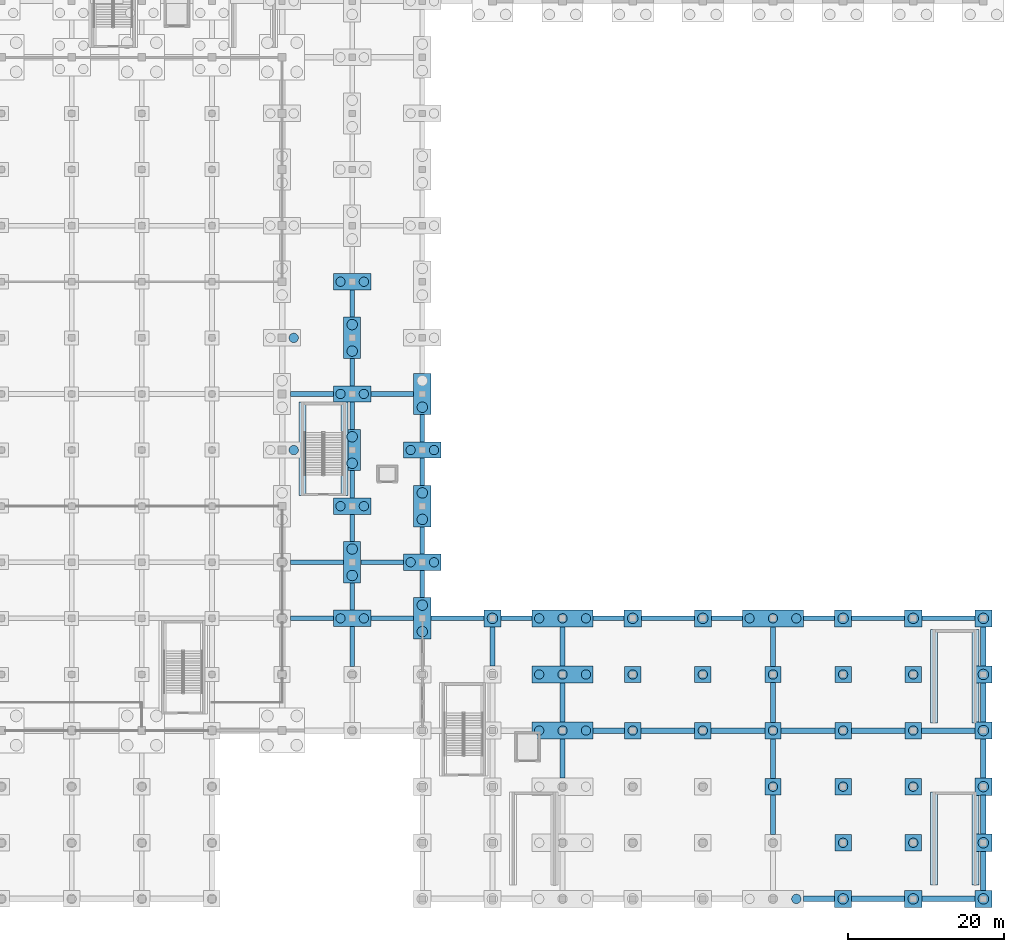
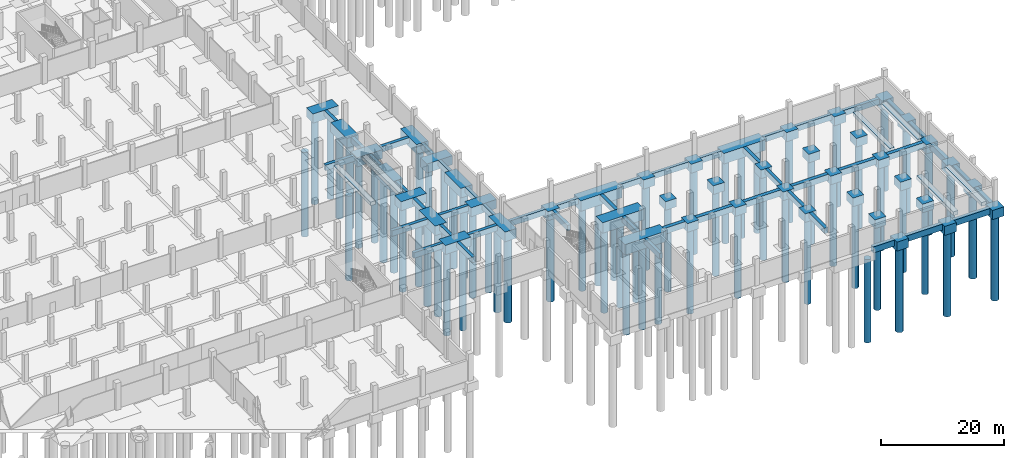
# One storey, part 7 of 39: 97 footings, 66 piles.
"""IFC4 building model written with IfcOpenShell, lengths in metres."""

from ifc_helpers import new_model, si_unit, direction, frame, origin, origin_2d, place, context, subcontext, project, spatial, rectangle, circle, extrude, material, material_profile, profile_set, type_object, element, save


model = new_model("IFC4")

# Units and contexts
model_context = context("Model", 3, precision=1e-05, world=origin(), true_north=direction((0.0, 1.0)))
body_context = subcontext(model_context, "Body", "Model", "MODEL_VIEW")
ifc_project = project(units=[si_unit("LENGTHUNIT", "METRE"), si_unit("AREAUNIT", "SQUARE_METRE"), si_unit("VOLUMEUNIT", "CUBIC_METRE"), si_unit("PLANEANGLEUNIT", "RADIAN"), si_unit("MASSUNIT", "GRAM", prefix="KILO")], contexts=[model_context])

# Site, building, storey
site_placement = place(None, origin())
site = spatial("IfcSite", under=ifc_project, at=site_placement, CompositionType="ELEMENT")
building_placement = place(site_placement, origin())
building = spatial("IfcBuilding", under=site, at=building_placement, Name="Celestram Park Convention Centre", CompositionType="ELEMENT")
storey_placement = place(building_placement, frame((0.0, 0.0, -5.39990234375)))
storey = spatial("IfcBuildingStorey", under=building, at=storey_placement, Name="B1", CompositionType="ELEMENT", Elevation=-5.39990234375)

# Footings
ifc_material_1 = material(Name="Concrete C40/50", Category="concrete")
footing_type_1 = type_object("IfcFootingType", Name="STR-CAP-PC2", PredefinedType="PILE_CAP", material=ifc_material_1)
for number, where, z_axis, x_axis, name in (
    (1, (171.0, 21.60009765625, -1.7001953125), (0.0, 0.0, 1.0), (1.0, 0.0, 0.0), "Caisson cap PC-02 at (171.0, 21.6)"),
    (2, (171.0, 28.800048828125, -1.7001953125), (0.0, 0.0, 1.0), (1.0, 0.0, 0.0), "Caisson cap PC-02 at (171.0, 28.8)"),
    (3, (180.0, 21.60009765625, -1.7001953125), (0.0, 0.0, 1.0), (1.0, 0.0, 0.0), "Caisson cap PC-02 at (180.0, 21.6)"),
    (4, (180.0, 28.800048828125, -1.7001953125), (0.0, 0.0, 1.0), (1.0, 0.0, 0.0), "Caisson cap PC-02 at (180.0, 28.8)"),
    (5, (189.0, 14.39990234375, -1.7001953125), (0.0, 0.0, 1.0), (1.0, 0.0, 0.0), "Caisson cap PC-02 at (189.0, 14.4)"),
    (6, (189.0, 21.60009765625, -1.7001953125), (0.0, 0.0, 1.0), (1.0, 0.0, 0.0), "Caisson cap PC-02 at (189.0, 21.6)"),
    (7, (189.0, 28.800048828125, -1.7001953125), (0.0, 0.0, 1.0), (1.0, 0.0, 0.0), "Caisson cap PC-02 at (189.0, 28.8)"),
    (8, (198.0, 7.199951171875, -1.7001953125), (0.0, 0.0, 1.0), (1.0, 0.0, 0.0), "Caisson cap PC-02 at (198.0, 7.2)"),
    (9, (198.0, 14.39990234375, -1.7001953125), (0.0, 0.0, 1.0), (1.0, 0.0, 0.0), "Caisson cap PC-02 at (198.0, 14.4)"),
    (10, (198.0, 21.60009765625, -1.7001953125), (0.0, 0.0, 1.0), (1.0, 0.0, 0.0), "Caisson cap PC-02 at (198.0, 21.6)"),
    (11, (198.0, 28.800048828125, -1.7001953125), (0.0, 0.0, 1.0), (1.0, 0.0, 0.0), "Caisson cap PC-02 at (198.0, 28.8)"),
    (12, (207.0, 7.199951171875, -1.7001953125), (0.0, 0.0, 1.0), (1.0, 0.0, 0.0), "Caisson cap PC-02 at (207.0, 7.2)"),
    (13, (207.0, 14.39990234375, -1.7001953125), (0.0, 0.0, 1.0), (1.0, 0.0, 0.0), "Caisson cap PC-02 at (207.0, 14.4)"),
    (14, (207.0, 21.60009765625, -1.7001953125), (0.0, 0.0, 1.0), (1.0, 0.0, 0.0), "Caisson cap PC-02 at (207.0, 21.6)"),
    (15, (207.0, 28.800048828125, -1.7001953125), (0.0, 0.0, 1.0), (1.0, 0.0, 0.0), "Caisson cap PC-02 at (207.0, 28.8)"),
):
    element("IfcFooting", number, at=place(storey_placement, frame(where, z_axis=z_axis, x_axis=x_axis)), inside=storey, type_object=footing_type_1, Name=name, PredefinedType="PILE_CAP", context=body_context, shape_type="SweptSolid", body=[
        extrude(rectangle(XDim=2.10009765625, YDim=2.10009765625, at=origin_2d()), origin(), (0.0, 0.0, 1.0), 1.699951171875),
    ])
footing_type_2 = type_object("IfcFootingType", Name="STR-CAP-PC3", PredefinedType="PILE_CAP", material=ifc_material_1)
for number, where, z_axis, x_axis, name in (
    (16, (153.0, 36.0, -1.80029296875), (0.0, 0.0, 1.0), (1.0, 0.0, 0.0), "Caisson cap PC-03 at (153.0, 36.0)"),
    (17, (171.0, 36.0, -1.80029296875), (0.0, 0.0, 1.0), (1.0, 0.0, 0.0), "Caisson cap PC-03 at (171.0, 36.0)"),
    (18, (180.0, 36.0, -1.80029296875), (0.0, 0.0, 1.0), (1.0, 0.0, 0.0), "Caisson cap PC-03 at (180.0, 36.0)"),
    (19, (198.0, 0.0, -1.80029296875), (0.0, 0.0, 1.0), (1.0, 0.0, 0.0), "Caisson cap PC-03 at (198.0, 0.0)"),
    (20, (198.0, 36.0, -1.80029296875), (0.0, 0.0, 1.0), (1.0, 0.0, 0.0), "Caisson cap PC-03 at (198.0, 36.0)"),
    (21, (207.0, 0.0, -1.80029296875), (0.0, 0.0, 1.0), (1.0, 0.0, 0.0), "Caisson cap PC-03 at (207.0, 0.0)"),
    (22, (207.0, 36.0, -1.80029296875), (0.0, 0.0, 1.0), (1.0, 0.0, 0.0), "Caisson cap PC-03 at (207.0, 36.0)"),
    (23, (216.0, 0.0, -1.80029296875), (0.0, 0.0, 1.0), (1.0, 0.0, 0.0), "Caisson cap PC-03 at (216.0, 0.0)"),
    (24, (216.0, 7.199951171875, -1.80029296875), (0.0, 0.0, 1.0), (1.0, 0.0, 0.0), "Caisson cap PC-03 at (216.0, 7.2)"),
    (25, (216.0, 14.39990234375, -1.80029296875), (0.0, 0.0, 1.0), (1.0, 0.0, 0.0), "Caisson cap PC-03 at (216.0, 14.4)"),
    (26, (216.0, 21.60009765625, -1.80029296875), (0.0, 0.0, 1.0), (1.0, 0.0, 0.0), "Caisson cap PC-03 at (216.0, 21.6)"),
    (27, (216.0, 28.800048828125, -1.80029296875), (0.0, 0.0, 1.0), (1.0, 0.0, 0.0), "Caisson cap PC-03 at (216.0, 28.8)"),
    (28, (216.0, 36.0, -1.80029296875), (0.0, 0.0, 1.0), (1.0, 0.0, 0.0), "Caisson cap PC-03 at (216.0, 36.0)"),
):
    element("IfcFooting", number, at=place(storey_placement, frame(where, z_axis=z_axis, x_axis=x_axis)), inside=storey, type_object=footing_type_2, Name=name, PredefinedType="PILE_CAP", context=body_context, shape_type="SweptSolid", body=[
        extrude(rectangle(XDim=2.199951171875, YDim=2.199951171875, at=origin_2d()), origin(), (0.0, 0.0, 1.0), 1.800048828125),
    ])
footing_type_3 = type_object("IfcFootingType", Name="STR-CAP-PC4", PredefinedType="PILE_CAP", material=ifc_material_1)
for number, where, z_axis, x_axis, name in (
    (29, (135.0, 36.0, -1.80029296875), (0.0, 0.0, 1.0), (1.0, 0.0, 0.0), "Caisson cap PC-04 at (135.0, 36.0)"),
    (30, (135.0, 50.39990234375, -1.80029296875), (0.0, 0.0, 1.0), (1.0, 0.0, 0.0), "Caisson cap PC-04 at (135.0, 50.4)"),
    (31, (135.0, 64.800048828125, -1.80029296875), (0.0, 0.0, 1.0), (1.0, 0.0, 0.0), "Caisson cap PC-04 at (135.0, 64.8)"),
    (32, (135.0, 79.199951171875, -1.80029296875), (0.0, 0.0, 1.0), (1.0, 0.0, 0.0), "Caisson cap PC-04 at (135.0, 79.2)"),
    (33, (144.0, 43.199951171875, -1.80029296875), (0.0, 0.0, 1.0), (1.0, 0.0, 0.0), "Caisson cap PC-04 at (144.0, 43.2)"),
    (34, (144.0, 57.60009765625, -1.80029296875), (0.0, 0.0, 1.0), (1.0, 0.0, 0.0), "Caisson cap PC-04 at (144.0, 57.6)"),
):
    element("IfcFooting", number, at=place(storey_placement, frame(where, z_axis=z_axis, x_axis=x_axis)), inside=storey, type_object=footing_type_3, Name=name, PredefinedType="PILE_CAP", context=body_context, shape_type="SweptSolid", body=[
        extrude(rectangle(XDim=4.800048828125, YDim=2.10009765625, at=origin_2d()), origin(), (0.0, 0.0, 1.0), 1.800048828125),
    ])
footing_type_4 = type_object("IfcFootingType", Name="STR-CAP-PC5", PredefinedType="PILE_CAP", material=ifc_material_1)
for number, where, z_axis, x_axis, name in (
    (35, (135.0, 43.199951171875, -1.900146484375), (0.0, 0.0, 1.0), (1.0, 0.0, 0.0), "Caisson cap PC-05 at (135.0, 43.2)"),
    (36, (135.0, 57.60009765625, -1.900146484375), (0.0, 0.0, 1.0), (1.0, 0.0, 0.0), "Caisson cap PC-05 at (135.0, 57.6)"),
    (37, (135.0, 72.0, -1.900146484375), (0.0, 0.0, 1.0), (1.0, 0.0, 0.0), "Caisson cap PC-05 at (135.0, 72.0)"),
    (38, (144.0, 36.0, -1.900146484375), (0.0, 0.0, 1.0), (1.0, 0.0, 0.0), "Caisson cap PC-05 at (144.0, 36.0)"),
    (39, (144.0, 50.39990234375, -1.900146484375), (0.0, 0.0, 1.0), (1.0, 0.0, 0.0), "Caisson cap PC-05 at (144.0, 50.4)"),
    (40, (144.0, 64.800048828125, -1.900146484375), (0.0, 0.0, 1.0), (1.0, 0.0, 0.0), "Caisson cap PC-05 at (144.0, 64.8)"),
):
    element("IfcFooting", number, at=place(storey_placement, frame(where, z_axis=z_axis, x_axis=x_axis)), inside=storey, type_object=footing_type_4, Name=name, PredefinedType="PILE_CAP", context=body_context, shape_type="SweptSolid", body=[
        extrude(rectangle(XDim=2.199951171875, YDim=5.300048828125, at=origin_2d()), origin(), (0.0, 0.0, 1.0), 1.89990234375),
    ])
footing_type_5 = type_object("IfcFootingType", Name="STR-CAP-PC9", PredefinedType="PILE_CAP", material=ifc_material_1)
for number, where, z_axis, x_axis, name in (
    (41, (162.0, 21.60009765625, -2.10009765625), (0.0, 0.0, 1.0), (1.0, 0.0, 0.0), "Caisson cap PC-09 at (162.0, 21.6)"),
    (42, (162.0, 28.800048828125, -2.10009765625), (0.0, 0.0, 1.0), (1.0, 0.0, 0.0), "Caisson cap PC-09 at (162.0, 28.8)"),
    (43, (162.0, 36.0, -2.10009765625), (0.0, 0.0, 1.0), (1.0, 0.0, 0.0), "Caisson cap PC-09 at (162.0, 36.0)"),
    (44, (189.0, 36.0, -2.10009765625), (0.0, 0.0, 1.0), (1.0, 0.0, 0.0), "Caisson cap PC-09 at (189.0, 36.0)"),
):
    element("IfcFooting", number, at=place(storey_placement, frame(where, z_axis=z_axis, x_axis=x_axis)), inside=storey, type_object=footing_type_5, Name=name, PredefinedType="PILE_CAP", context=body_context, shape_type="SweptSolid", body=[
        extrude(rectangle(XDim=7.800048828125, YDim=2.199951171875, at=origin_2d()), origin(), (0.0, 0.0, 1.0), 2.10009765625),
    ])
ifc_material_2 = material(Name="Concrete C35/45", Category="concrete")
footing_type_6 = type_object("IfcFootingType", Name="STR-FTG-GB09", PredefinedType="FOOTING_BEAM", material=ifc_material_2)
for number, where, z_axis, x_axis, name in (
    (45, (135.0, 32.39990234375, -1.10009765625), (0.0, 0.0, 1.0), (0.0, 1.0, 0.0), "Grade tie beam GB-B1-380"),
    (46, (189.0, 10.800048828125, -1.10009765625), (0.0, 0.0, 1.0), (0.0, 1.0, 0.0), "Grade tie beam GB-B1-504"),
    (47, (189.0, 18.0, -1.10009765625), (0.0, 0.0, 1.0), (0.0, 1.0, 0.0), "Grade tie beam GB-B1-505"),
    (48, (189.0, 25.199951171875, -1.10009765625), (0.0, 0.0, 1.0), (0.0, 1.0, 0.0), "Grade tie beam GB-B1-507"),
):
    element("IfcFooting", number, at=place(storey_placement, frame(where, z_axis=z_axis, x_axis=x_axis)), inside=storey, type_object=footing_type_6, Name=name, PredefinedType="FOOTING_BEAM", context=body_context, shape_type="SweptSolid", body=[
        extrude(rectangle(XDim=5.10009765625, YDim=0.60009765625, at=origin_2d()), origin(), (0.0, 0.0, 1.0), 1.10009765625),
    ])
footing_type_7 = type_object("IfcFootingType", Name="STR-FTG-GB12", PredefinedType="FOOTING_BEAM", material=ifc_material_2)
for number, where, z_axis, x_axis, name in (
    (49, (175.5, 21.60009765625, -1.2001953125), (0.0, 0.0, 1.0), (1.0, 0.0, 0.0), "Grade tie beam GB-B1-485"),
    (50, (184.5, 21.60009765625, -1.2001953125), (0.0, 0.0, 1.0), (1.0, 0.0, 0.0), "Grade tie beam GB-B1-494"),
    (51, (193.5, 21.60009765625, -1.2001953125), (0.0, 0.0, 1.0), (1.0, 0.0, 0.0), "Grade tie beam GB-B1-506"),
    (52, (202.5, 21.60009765625, -1.2001953125), (0.0, 0.0, 1.0), (1.0, 0.0, 0.0), "Grade tie beam GB-B1-524"),
):
    element("IfcFooting", number, at=place(storey_placement, frame(where, z_axis=z_axis, x_axis=x_axis)), inside=storey, type_object=footing_type_7, Name=name, PredefinedType="FOOTING_BEAM", context=body_context, shape_type="SweptSolid", body=[
        extrude(rectangle(XDim=6.89990234375, YDim=0.699951171875, at=origin_2d()), origin(), (0.0, 0.0, 1.0), 1.199951171875),
    ])
footing_type_8 = type_object("IfcFootingType", Name="STR-FTG-GB23", PredefinedType="FOOTING_BEAM", material=ifc_material_2)
for number, where, z_axis, x_axis, name in (
    (53, (135.0, 38.800048828125, -1.10009765625), (0.0, 0.0, 1.0), (0.0, 1.0, 0.0), "Grade tie beam GB-B1-382"),
    (54, (135.0, 47.60009765625, -1.10009765625), (0.0, 0.0, 1.0), (0.0, 1.0, 0.0), "Grade tie beam GB-B1-384"),
    (55, (135.0, 53.199951171875, -1.10009765625), (0.0, 0.0, 1.0), (0.0, 1.0, 0.0), "Grade tie beam GB-B1-385"),
    (56, (135.0, 62.0, -1.10009765625), (0.0, 0.0, 1.0), (0.0, 1.0, 0.0), "Grade tie beam GB-B1-386"),
    (57, (135.0, 67.60009765625, -1.10009765625), (0.0, 0.0, 1.0), (0.0, 1.0, 0.0), "Grade tie beam GB-B1-388"),
    (58, (135.0, 76.39990234375, -1.10009765625), (0.0, 0.0, 1.0), (0.0, 1.0, 0.0), "Grade tie beam GB-B1-389"),
    (59, (144.0, 40.39990234375, -1.10009765625), (0.0, 0.0, 1.0), (0.0, 1.0, 0.0), "Grade tie beam GB-B1-418"),
    (60, (144.0, 46.0, -1.10009765625), (0.0, 0.0, 1.0), (0.0, 1.0, 0.0), "Grade tie beam GB-B1-419"),
    (61, (144.0, 54.800048828125, -1.10009765625), (0.0, 0.0, 1.0), (0.0, 1.0, 0.0), "Grade tie beam GB-B1-420"),
    (62, (144.0, 60.39990234375, -1.10009765625), (0.0, 0.0, 1.0), (0.0, 1.0, 0.0), "Grade tie beam GB-B1-421"),
):
    element("IfcFooting", number, at=place(storey_placement, frame(where, z_axis=z_axis, x_axis=x_axis)), inside=storey, type_object=footing_type_8, Name=name, PredefinedType="FOOTING_BEAM", context=body_context, shape_type="SweptSolid", body=[
        extrude(rectangle(XDim=3.5, YDim=0.60009765625, at=origin_2d()), origin(), (0.0, 0.0, 1.0), 1.10009765625),
    ])
footing_type_9 = type_object("IfcFootingType", Name="STR-FTG-GB33", PredefinedType="FOOTING_BEAM", material=ifc_material_2)
for number, where, z_axis, x_axis, name in (
    (63, (129.85009765625, 36.0, -1.10009765625), (0.0, 0.0, 1.0), (1.0, 0.0, 0.0), "Grade tie beam GB-B1-349"),
    (64, (129.85009765625, 64.800048828125, -1.10009765625), (0.0, 0.0, 1.0), (1.0, 0.0, 0.0), "Grade tie beam GB-B1-355"),
    (65, (140.14990234375, 36.0, -1.10009765625), (0.0, 0.0, 1.0), (1.0, 0.0, 0.0), "Grade tie beam GB-B1-381"),
    (66, (138.85009765625, 43.199951171875, -1.10009765625), (0.0, 0.0, 1.0), (1.0, 0.0, 0.0), "Grade tie beam GB-B1-383"),
    (67, (140.14990234375, 64.800048828125, -1.10009765625), (0.0, 0.0, 1.0), (1.0, 0.0, 0.0), "Grade tie beam GB-B1-387"),
):
    element("IfcFooting", number, at=place(storey_placement, frame(where, z_axis=z_axis, x_axis=x_axis)), inside=storey, type_object=footing_type_9, Name=name, PredefinedType="FOOTING_BEAM", context=body_context, shape_type="SweptSolid", body=[
        extrude(rectangle(XDim=5.5, YDim=0.60009765625, at=origin_2d()), origin(), (0.0, 0.0, 1.0), 1.10009765625),
    ])
footing_type_10 = type_object("IfcFootingType", Name="STR-FTG-GB37", PredefinedType="FOOTING_BEAM", material=ifc_material_2)
for number, where, z_axis, x_axis, name in (
    (68, (216.0, 3.60009765625, -1.2001953125), (0.0, 0.0, 1.0), (0.0, 1.0, 0.0), "Grade tie beam GB-B1-541"),
    (69, (216.0, 10.800048828125, -1.2001953125), (0.0, 0.0, 1.0), (0.0, 1.0, 0.0), "Grade tie beam GB-B1-542"),
    (70, (216.0, 18.0, -1.2001953125), (0.0, 0.0, 1.0), (0.0, 1.0, 0.0), "Grade tie beam GB-B1-543"),
    (71, (216.0, 25.199951171875, -1.2001953125), (0.0, 0.0, 1.0), (0.0, 1.0, 0.0), "Grade tie beam GB-B1-544"),
    (72, (216.0, 32.39990234375, -1.2001953125), (0.0, 0.0, 1.0), (0.0, 1.0, 0.0), "Grade tie beam GB-B1-545"),
):
    element("IfcFooting", number, at=place(storey_placement, frame(where, z_axis=z_axis, x_axis=x_axis)), inside=storey, type_object=footing_type_10, Name=name, PredefinedType="FOOTING_BEAM", context=body_context, shape_type="SweptSolid", body=[
        extrude(rectangle(XDim=5.0, YDim=0.699951171875, at=origin_2d()), origin(), (0.0, 0.0, 1.0), 1.199951171875),
    ])
footing_type_11 = type_object("IfcFootingType", Name="STR-FTG-GB38", PredefinedType="FOOTING_BEAM", material=ifc_material_2)
for number, where, z_axis, x_axis, name in (
    (73, (130.5, 43.199951171875, -1.10009765625), (0.0, 0.0, 1.0), (1.0, 0.0, 0.0), "Grade tie beam GB-B1-351"),
    (74, (148.5, 36.0, -1.10009765625), (0.0, 0.0, 1.0), (1.0, 0.0, 0.0), "Grade tie beam GB-B1-417"),
    (75, (175.5, 36.0, -1.10009765625), (0.0, 0.0, 1.0), (1.0, 0.0, 0.0), "Grade tie beam GB-B1-486"),
    (76, (202.5, 36.0, -1.10009765625), (0.0, 0.0, 1.0), (1.0, 0.0, 0.0), "Grade tie beam GB-B1-525"),
    (77, (211.5, 36.0, -1.10009765625), (0.0, 0.0, 1.0), (1.0, 0.0, 0.0), "Grade tie beam GB-B1-534"),
):
    element("IfcFooting", number, at=place(storey_placement, frame(where, z_axis=z_axis, x_axis=x_axis)), inside=storey, type_object=footing_type_11, Name=name, PredefinedType="FOOTING_BEAM", context=body_context, shape_type="SweptSolid", body=[
        extrude(rectangle(XDim=6.800048828125, YDim=0.60009765625, at=origin_2d()), origin(), (0.0, 0.0, 1.0), 1.10009765625),
    ])
footing_type_12 = type_object("IfcFootingType", Name="STR-FTG-GB40", PredefinedType="FOOTING_BEAM", material=ifc_material_2)
footing_1_placement = place(storey_placement, frame((211.47509765625, 21.60009765625, -1.2001953125), z_axis=(0.0, 0.0, 1.0), x_axis=(1.0, 0.0, 0.0)))
element("IfcFooting", 78, at=footing_1_placement, inside=storey, type_object=footing_type_12, Name="Grade tie beam GB-B1-533", PredefinedType="FOOTING_BEAM", context=body_context, shape_type="SweptSolid", body=[
    extrude(rectangle(XDim=6.85009765625, YDim=0.699951171875, at=origin_2d()), origin(), (0.0, 0.0, 1.0), 1.199951171875),
])
footing_type_13 = type_object("IfcFootingType", Name="STR-FTG-GB41", PredefinedType="FOOTING_BEAM", material=ifc_material_2)
for number, where, z_axis, x_axis, name in (
    (79, (202.5, 0.0, -1.2001953125), (0.0, 0.0, 1.0), (1.0, 0.0, 0.0), "Grade tie beam GB-B1-523"),
    (80, (211.5, 0.0, -1.2001953125), (0.0, 0.0, 1.0), (1.0, 0.0, 0.0), "Grade tie beam GB-B1-532"),
):
    element("IfcFooting", number, at=place(storey_placement, frame(where, z_axis=z_axis, x_axis=x_axis)), inside=storey, type_object=footing_type_13, Name=name, PredefinedType="FOOTING_BEAM", context=body_context, shape_type="SweptSolid", body=[
        extrude(rectangle(XDim=6.800048828125, YDim=0.699951171875, at=origin_2d()), origin(), (0.0, 0.0, 1.0), 1.199951171875),
    ])
footing_type_14 = type_object("IfcFootingType", Name="STR-FTG-GB42", PredefinedType="FOOTING_BEAM", material=ifc_material_2)
for number, where, z_axis, x_axis, name in (
    (81, (153.0, 32.39990234375, -1.10009765625), (0.0, 0.0, 1.0), (0.0, 1.0, 0.0), "Grade tie beam GB-B1-448"),
    (82, (162.0, 18.0, -1.10009765625), (0.0, 0.0, 1.0), (0.0, 1.0, 0.0), "Grade tie beam GB-B1-466"),
    (83, (162.0, 25.199951171875, -1.10009765625), (0.0, 0.0, 1.0), (0.0, 1.0, 0.0), "Grade tie beam GB-B1-468"),
    (84, (162.0, 32.39990234375, -1.10009765625), (0.0, 0.0, 1.0), (0.0, 1.0, 0.0), "Grade tie beam GB-B1-469"),
):
    element("IfcFooting", number, at=place(storey_placement, frame(where, z_axis=z_axis, x_axis=x_axis)), inside=storey, type_object=footing_type_14, Name=name, PredefinedType="FOOTING_BEAM", context=body_context, shape_type="SweptSolid", body=[
        extrude(rectangle(XDim=5.0, YDim=0.60009765625, at=origin_2d()), origin(), (0.0, 0.0, 1.0), 1.10009765625),
    ])
footing_type_15 = type_object("IfcFootingType", Name="STR-FTG-GB44", PredefinedType="FOOTING_BEAM", material=ifc_material_2)
footing_2_placement = place(storey_placement, frame((194.89990234375, 0.0, -1.2001953125), z_axis=(0.0, 0.0, 1.0), x_axis=(1.0, 0.0, 0.0)))
element("IfcFooting", 85, at=footing_2_placement, inside=storey, type_object=footing_type_15, Name="Grade tie beam GB-B1-502", PredefinedType="FOOTING_BEAM", context=body_context, shape_type="SweptSolid", body=[
    extrude(rectangle(XDim=4.0, YDim=0.699951171875, at=origin_2d()), origin(), (0.0, 0.0, 1.0), 1.199951171875),
])
footing_type_16 = type_object("IfcFootingType", Name="STR-FTG-GB45", PredefinedType="FOOTING_BEAM", material=ifc_material_2)
for number, where, z_axis, x_axis, name in (
    (86, (156.10009765625, 36.0, -1.10009765625), (0.0, 0.0, 1.0), (1.0, 0.0, 0.0), "Grade tie beam GB-B1-449"),
    (87, (167.89990234375, 36.0, -1.10009765625), (0.0, 0.0, 1.0), (1.0, 0.0, 0.0), "Grade tie beam GB-B1-470"),
    (88, (183.10009765625, 36.0, -1.10009765625), (0.0, 0.0, 1.0), (1.0, 0.0, 0.0), "Grade tie beam GB-B1-495"),
    (89, (194.89990234375, 36.0, -1.10009765625), (0.0, 0.0, 1.0), (1.0, 0.0, 0.0), "Grade tie beam GB-B1-509"),
):
    element("IfcFooting", number, at=place(storey_placement, frame(where, z_axis=z_axis, x_axis=x_axis)), inside=storey, type_object=footing_type_16, Name=name, PredefinedType="FOOTING_BEAM", context=body_context, shape_type="SweptSolid", body=[
        extrude(rectangle(XDim=4.0, YDim=0.60009765625, at=origin_2d()), origin(), (0.0, 0.0, 1.0), 1.10009765625),
    ])
footing_type_17 = type_object("IfcFootingType", Name="STR-FTG-GB47", PredefinedType="FOOTING_BEAM", material=ifc_material_2)
footing_3_placement = place(storey_placement, frame((167.925048828125, 21.60009765625, -1.2001953125), z_axis=(0.0, 0.0, 1.0), x_axis=(1.0, 0.0, 0.0)))
element("IfcFooting", 90, at=footing_3_placement, inside=storey, type_object=footing_type_17, Name="Grade tie beam GB-B1-467", PredefinedType="FOOTING_BEAM", context=body_context, shape_type="SweptSolid", body=[
    extrude(rectangle(XDim=4.050048828125, YDim=0.699951171875, at=origin_2d()), origin(), (0.0, 0.0, 1.0), 1.199951171875),
])
footing_type_18 = type_object("IfcFootingType", Name="STR-FTG-GB48", PredefinedType="FOOTING_BEAM", material=ifc_material_2)
footing_4_placement = place(storey_placement, frame((189.0, 32.375, -1.10009765625), z_axis=(0.0, 0.0, 1.0), x_axis=(0.0, 1.0, 0.0)))
element("IfcFooting", 91, at=footing_4_placement, inside=storey, type_object=footing_type_18, Name="Grade tie beam GB-B1-508", PredefinedType="FOOTING_BEAM", context=body_context, shape_type="SweptSolid", body=[
    extrude(rectangle(XDim=5.050048828125, YDim=0.60009765625, at=origin_2d()), origin(), (0.0, 0.0, 1.0), 1.10009765625),
])
footing_type_19 = type_object("IfcFootingType", Name="STR-FTG-SF49", PredefinedType="STRIP_FOOTING", material=ifc_material_2)
for number, where, z_axis, x_axis, name in (
    (92, (128.64990234375, 57.764892578125, -0.75), (0.0, 0.0, 1.0), (0.0, 1.0, 0.0), "Core C4 strip footing"),
    (93, (133.989990234375, 57.764892578125, -0.75), (0.0, 0.0, 1.0), (0.0, 1.0, 0.0), "Core C4 strip footing"),
):
    element("IfcFooting", number, at=place(storey_placement, frame(where, z_axis=z_axis, x_axis=x_axis)), inside=storey, type_object=footing_type_19, Name=name, PredefinedType="STRIP_FOOTING", context=body_context, shape_type="SweptSolid", body=[
        extrude(rectangle(XDim=12.030029296875, YDim=0.89990234375, at=origin_2d()), origin(), (0.0, 0.0, 1.0), 0.75),
    ])
footing_type_20 = type_object("IfcFootingType", Name="STR-FTG-SF50", PredefinedType="STRIP_FOOTING", material=ifc_material_2)
for number, where, z_axis, x_axis, name in (
    (94, (209.669921875, 7.7451171875, -0.75), (0.0, 0.0, 1.0), (0.0, 1.0, 0.0), "Core S11 strip footing"),
    (95, (214.969970703125, 7.7451171875, -0.75), (0.0, 0.0, 1.0), (0.0, 1.0, 0.0), "Core S11 strip footing"),
    (96, (209.669921875, 28.544921875, -0.75), (0.0, 0.0, 1.0), (0.0, 1.0, 0.0), "Core S12 strip footing"),
    (97, (214.969970703125, 28.544921875, -0.75), (0.0, 0.0, 1.0), (0.0, 1.0, 0.0), "Core S12 strip footing"),
):
    element("IfcFooting", number, at=place(storey_placement, frame(where, z_axis=z_axis, x_axis=x_axis)), inside=storey, type_object=footing_type_20, Name=name, PredefinedType="STRIP_FOOTING", context=body_context, shape_type="SweptSolid", body=[
        extrude(rectangle(XDim=11.989990234375, YDim=0.89990234375, at=origin_2d()), origin(), (0.0, 0.0, 1.0), 0.75),
    ])

# Piles
ifc_material_profile_1 = material_profile(ifc_material_1, circle(Radius=0.60009765625, at=origin_2d()), Name="CAISSON1200")
ifc_profile_set_1 = profile_set([ifc_material_profile_1], Name="Concrete C40/50")
pile_type_1 = type_object("IfcPileType", Name="STR-PIL-C1200", PredefinedType="BORED", material=ifc_profile_set_1)
for number, where, z_axis, x_axis, name in (
    (98, (127.5, 57.60009765625, -1.7001953125), (0.0, 0.0, -1.0), (1.0, 0.0, 0.0), "Bored caisson PC-B1-590"),
    (99, (127.5, 72.0, -1.7001953125), (0.0, 0.0, -1.0), (1.0, 0.0, 0.0), "Bored caisson PC-B1-594"),
    (100, (133.5, 36.0, -1.7001953125), (0.0, 0.0, -1.0), (1.0, 0.0, 0.0), "Bored caisson PC-B1-625"),
    (101, (136.5, 36.0, -1.7001953125), (0.0, 0.0, -1.0), (1.0, 0.0, 0.0), "Bored caisson PC-B1-626"),
    (102, (133.5, 50.39990234375, -1.7001953125), (0.0, 0.0, -1.0), (1.0, 0.0, 0.0), "Bored caisson PC-B1-629"),
    (103, (136.5, 50.39990234375, -1.7001953125), (0.0, 0.0, -1.0), (1.0, 0.0, 0.0), "Bored caisson PC-B1-630"),
    (104, (133.5, 64.800048828125, -1.7001953125), (0.0, 0.0, -1.0), (1.0, 0.0, 0.0), "Bored caisson PC-B1-633"),
    (105, (136.5, 64.800048828125, -1.7001953125), (0.0, 0.0, -1.0), (1.0, 0.0, 0.0), "Bored caisson PC-B1-634"),
    (106, (133.5, 79.199951171875, -1.7001953125), (0.0, 0.0, -1.0), (1.0, 0.0, 0.0), "Bored caisson PC-B1-637"),
    (107, (136.5, 79.199951171875, -1.7001953125), (0.0, 0.0, -1.0), (1.0, 0.0, 0.0), "Bored caisson PC-B1-638"),
    (108, (142.5, 43.199951171875, -1.7001953125), (0.0, 0.0, -1.0), (1.0, 0.0, 0.0), "Bored caisson PC-B1-670"),
    (109, (145.5, 43.199951171875, -1.7001953125), (0.0, 0.0, -1.0), (1.0, 0.0, 0.0), "Bored caisson PC-B1-671"),
    (110, (142.5, 57.60009765625, -1.7001953125), (0.0, 0.0, -1.0), (1.0, 0.0, 0.0), "Bored caisson PC-B1-674"),
    (111, (145.5, 57.60009765625, -1.7001953125), (0.0, 0.0, -1.0), (1.0, 0.0, 0.0), "Bored caisson PC-B1-675"),
):
    element("IfcPile", number, at=place(storey_placement, frame(where, z_axis=z_axis, x_axis=x_axis)), inside=storey, type_object=pile_type_1, Name=name, PredefinedType="BORED", context=body_context, shape_type="SweptSolid", body=[
        extrude(circle(Radius=0.60009765625, at=origin_2d()), origin(), (0.0, 0.0, 1.0), 16.89990234375),
    ])
for number, where, z_axis, x_axis, name in (
    (112, (159.0, 21.60009765625, -2.0), (0.0, 0.0, -1.0), (1.0, 0.0, 0.0), "Bored caisson PC-B1-741"),
    (113, (162.0, 21.60009765625, -2.0), (0.0, 0.0, -1.0), (1.0, 0.0, 0.0), "Bored caisson PC-B1-742"),
    (114, (165.0, 21.60009765625, -2.0), (0.0, 0.0, -1.0), (1.0, 0.0, 0.0), "Bored caisson PC-B1-743"),
    (115, (159.0, 28.800048828125, -2.0), (0.0, 0.0, -1.0), (1.0, 0.0, 0.0), "Bored caisson PC-B1-744"),
    (116, (162.0, 28.800048828125, -2.0), (0.0, 0.0, -1.0), (1.0, 0.0, 0.0), "Bored caisson PC-B1-745"),
    (117, (165.0, 28.800048828125, -2.0), (0.0, 0.0, -1.0), (1.0, 0.0, 0.0), "Bored caisson PC-B1-746"),
    (118, (159.0, 36.0, -2.0), (0.0, 0.0, -1.0), (1.0, 0.0, 0.0), "Bored caisson PC-B1-747"),
    (119, (162.0, 36.0, -2.0), (0.0, 0.0, -1.0), (1.0, 0.0, 0.0), "Bored caisson PC-B1-748"),
    (120, (165.0, 36.0, -2.0), (0.0, 0.0, -1.0), (1.0, 0.0, 0.0), "Bored caisson PC-B1-749"),
):
    element("IfcPile", number, at=place(storey_placement, frame(where, z_axis=z_axis, x_axis=x_axis)), inside=storey, type_object=pile_type_1, Name=name, PredefinedType="BORED", context=body_context, shape_type="SweptSolid", body=[
        extrude(circle(Radius=0.60009765625, at=origin_2d()), origin(), (0.0, 0.0, 1.0), 16.60009765625),
    ])
for number, where, z_axis, x_axis, name in (
    (121, (171.0, 21.60009765625, -1.60009765625), (0.0, 0.0, -1.0), (1.0, 0.0, 0.0), "Bored caisson PC-B1-767"),
    (122, (171.0, 28.800048828125, -1.60009765625), (0.0, 0.0, -1.0), (1.0, 0.0, 0.0), "Bored caisson PC-B1-768"),
    (123, (180.0, 21.60009765625, -1.60009765625), (0.0, 0.0, -1.0), (1.0, 0.0, 0.0), "Bored caisson PC-B1-787"),
    (124, (180.0, 28.800048828125, -1.60009765625), (0.0, 0.0, -1.0), (1.0, 0.0, 0.0), "Bored caisson PC-B1-788"),
):
    element("IfcPile", number, at=place(storey_placement, frame(where, z_axis=z_axis, x_axis=x_axis)), inside=storey, type_object=pile_type_1, Name=name, PredefinedType="BORED", context=body_context, shape_type="SweptSolid", body=[
        extrude(circle(Radius=0.60009765625, at=origin_2d()), origin(), (0.0, 0.0, 1.0), 17.0),
    ])
pile_placement = place(storey_placement, frame((192.0, 0.0, -2.0), z_axis=(0.0, 0.0, -1.0), x_axis=(1.0, 0.0, 0.0)))
element("IfcPile", 125, at=pile_placement, inside=storey, type_object=pile_type_1, Name="Bored caisson PC-B1-806", PredefinedType="BORED", context=body_context, shape_type="SweptSolid", body=[
    extrude(circle(Radius=0.60009765625, at=origin_2d()), origin(), (0.0, 0.0, 1.0), 16.60009765625),
])
for number, where, z_axis, x_axis, name in (
    (126, (189.0, 14.39990234375, -1.60009765625), (0.0, 0.0, -1.0), (1.0, 0.0, 0.0), "Bored caisson PC-B1-808"),
    (127, (189.0, 21.60009765625, -1.60009765625), (0.0, 0.0, -1.0), (1.0, 0.0, 0.0), "Bored caisson PC-B1-809"),
    (128, (189.0, 28.800048828125, -1.60009765625), (0.0, 0.0, -1.0), (1.0, 0.0, 0.0), "Bored caisson PC-B1-810"),
):
    element("IfcPile", number, at=place(storey_placement, frame(where, z_axis=z_axis, x_axis=x_axis)), inside=storey, type_object=pile_type_1, Name=name, PredefinedType="BORED", context=body_context, shape_type="SweptSolid", body=[
        extrude(circle(Radius=0.60009765625, at=origin_2d()), origin(), (0.0, 0.0, 1.0), 17.0),
    ])
for number, where, z_axis, x_axis, name in (
    (129, (186.0, 36.0, -2.0), (0.0, 0.0, -1.0), (1.0, 0.0, 0.0), "Bored caisson PC-B1-811"),
    (130, (189.0, 36.0, -2.0), (0.0, 0.0, -1.0), (1.0, 0.0, 0.0), "Bored caisson PC-B1-812"),
    (131, (192.0, 36.0, -2.0), (0.0, 0.0, -1.0), (1.0, 0.0, 0.0), "Bored caisson PC-B1-813"),
):
    element("IfcPile", number, at=place(storey_placement, frame(where, z_axis=z_axis, x_axis=x_axis)), inside=storey, type_object=pile_type_1, Name=name, PredefinedType="BORED", context=body_context, shape_type="SweptSolid", body=[
        extrude(circle(Radius=0.60009765625, at=origin_2d()), origin(), (0.0, 0.0, 1.0), 16.60009765625),
    ])
for number, where, z_axis, x_axis, name in (
    (132, (198.0, 7.199951171875, -1.60009765625), (0.0, 0.0, -1.0), (1.0, 0.0, 0.0), "Bored caisson PC-B1-829"),
    (133, (198.0, 14.39990234375, -1.60009765625), (0.0, 0.0, -1.0), (1.0, 0.0, 0.0), "Bored caisson PC-B1-830"),
    (134, (198.0, 21.60009765625, -1.60009765625), (0.0, 0.0, -1.0), (1.0, 0.0, 0.0), "Bored caisson PC-B1-831"),
    (135, (198.0, 28.800048828125, -1.60009765625), (0.0, 0.0, -1.0), (1.0, 0.0, 0.0), "Bored caisson PC-B1-832"),
    (136, (207.0, 7.199951171875, -1.60009765625), (0.0, 0.0, -1.0), (1.0, 0.0, 0.0), "Bored caisson PC-B1-849"),
    (137, (207.0, 14.39990234375, -1.60009765625), (0.0, 0.0, -1.0), (1.0, 0.0, 0.0), "Bored caisson PC-B1-850"),
    (138, (207.0, 21.60009765625, -1.60009765625), (0.0, 0.0, -1.0), (1.0, 0.0, 0.0), "Bored caisson PC-B1-851"),
    (139, (207.0, 28.800048828125, -1.60009765625), (0.0, 0.0, -1.0), (1.0, 0.0, 0.0), "Bored caisson PC-B1-852"),
):
    element("IfcPile", number, at=place(storey_placement, frame(where, z_axis=z_axis, x_axis=x_axis)), inside=storey, type_object=pile_type_1, Name=name, PredefinedType="BORED", context=body_context, shape_type="SweptSolid", body=[
        extrude(circle(Radius=0.60009765625, at=origin_2d()), origin(), (0.0, 0.0, 1.0), 17.0),
    ])
ifc_material_profile_2 = material_profile(ifc_material_1, circle(Radius=0.675048828125, at=origin_2d()), Name="CAISSON1350")
ifc_profile_set_2 = profile_set([ifc_material_profile_2], Name="Concrete C40/50")
pile_type_2 = type_object("IfcPileType", Name="STR-PIL-C1350", PredefinedType="BORED", material=ifc_profile_set_2)
for number, where, z_axis, x_axis, name in (
    (140, (135.0, 41.5, -1.800048828125), (0.0, 0.0, -1.0), (1.0, 0.0, 0.0), "Bored caisson PC-B1-627"),
    (141, (135.0, 44.89990234375, -1.800048828125), (0.0, 0.0, -1.0), (1.0, 0.0, 0.0), "Bored caisson PC-B1-628"),
    (142, (135.0, 55.89990234375, -1.800048828125), (0.0, 0.0, -1.0), (1.0, 0.0, 0.0), "Bored caisson PC-B1-631"),
    (143, (135.0, 59.300048828125, -1.800048828125), (0.0, 0.0, -1.0), (1.0, 0.0, 0.0), "Bored caisson PC-B1-632"),
    (144, (135.0, 70.300048828125, -1.800048828125), (0.0, 0.0, -1.0), (1.0, 0.0, 0.0), "Bored caisson PC-B1-635"),
    (145, (135.0, 73.699951171875, -1.800048828125), (0.0, 0.0, -1.0), (1.0, 0.0, 0.0), "Bored caisson PC-B1-636"),
    (146, (144.0, 34.300048828125, -1.800048828125), (0.0, 0.0, -1.0), (1.0, 0.0, 0.0), "Bored caisson PC-B1-668"),
    (147, (144.0, 37.699951171875, -1.800048828125), (0.0, 0.0, -1.0), (1.0, 0.0, 0.0), "Bored caisson PC-B1-669"),
    (148, (144.0, 48.699951171875, -1.800048828125), (0.0, 0.0, -1.0), (1.0, 0.0, 0.0), "Bored caisson PC-B1-672"),
    (149, (144.0, 52.10009765625, -1.800048828125), (0.0, 0.0, -1.0), (1.0, 0.0, 0.0), "Bored caisson PC-B1-673"),
    (150, (144.0, 63.10009765625, -1.800048828125), (0.0, 0.0, -1.0), (1.0, 0.0, 0.0), "Bored caisson PC-B1-676"),
):
    element("IfcPile", number, at=place(storey_placement, frame(where, z_axis=z_axis, x_axis=x_axis)), inside=storey, type_object=pile_type_2, Name=name, PredefinedType="BORED", context=body_context, shape_type="SweptSolid", body=[
        extrude(circle(Radius=0.675048828125, at=origin_2d()), origin(), (0.0, 0.0, 1.0), 16.800048828125),
    ])
for number, where, z_axis, x_axis, name in (
    (151, (153.0, 36.0, -1.7001953125), (0.0, 0.0, -1.0), (1.0, 0.0, 0.0), "Bored caisson PC-B1-711"),
    (152, (171.0, 36.0, -1.7001953125), (0.0, 0.0, -1.0), (1.0, 0.0, 0.0), "Bored caisson PC-B1-769"),
    (153, (180.0, 36.0, -1.7001953125), (0.0, 0.0, -1.0), (1.0, 0.0, 0.0), "Bored caisson PC-B1-789"),
    (154, (198.0, 0.0, -1.7001953125), (0.0, 0.0, -1.0), (1.0, 0.0, 0.0), "Bored caisson PC-B1-828"),
    (155, (198.0, 36.0, -1.7001953125), (0.0, 0.0, -1.0), (1.0, 0.0, 0.0), "Bored caisson PC-B1-833"),
    (156, (207.0, 0.0, -1.7001953125), (0.0, 0.0, -1.0), (1.0, 0.0, 0.0), "Bored caisson PC-B1-848"),
    (157, (207.0, 36.0, -1.7001953125), (0.0, 0.0, -1.0), (1.0, 0.0, 0.0), "Bored caisson PC-B1-853"),
    (158, (216.0, 0.0, -1.7001953125), (0.0, 0.0, -1.0), (1.0, 0.0, 0.0), "Bored caisson PC-B1-868"),
    (159, (216.0, 7.199951171875, -1.7001953125), (0.0, 0.0, -1.0), (1.0, 0.0, 0.0), "Bored caisson PC-B1-869"),
    (160, (216.0, 14.39990234375, -1.7001953125), (0.0, 0.0, -1.0), (1.0, 0.0, 0.0), "Bored caisson PC-B1-870"),
    (161, (216.0, 21.60009765625, -1.7001953125), (0.0, 0.0, -1.0), (1.0, 0.0, 0.0), "Bored caisson PC-B1-871"),
    (162, (216.0, 28.800048828125, -1.7001953125), (0.0, 0.0, -1.0), (1.0, 0.0, 0.0), "Bored caisson PC-B1-872"),
    (163, (216.0, 36.0, -1.7001953125), (0.0, 0.0, -1.0), (1.0, 0.0, 0.0), "Bored caisson PC-B1-873"),
):
    element("IfcPile", number, at=place(storey_placement, frame(where, z_axis=z_axis, x_axis=x_axis)), inside=storey, type_object=pile_type_2, Name=name, PredefinedType="BORED", context=body_context, shape_type="SweptSolid", body=[
        extrude(circle(Radius=0.675048828125, at=origin_2d()), origin(), (0.0, 0.0, 1.0), 16.89990234375),
    ])

save(model, "model.ifc")
